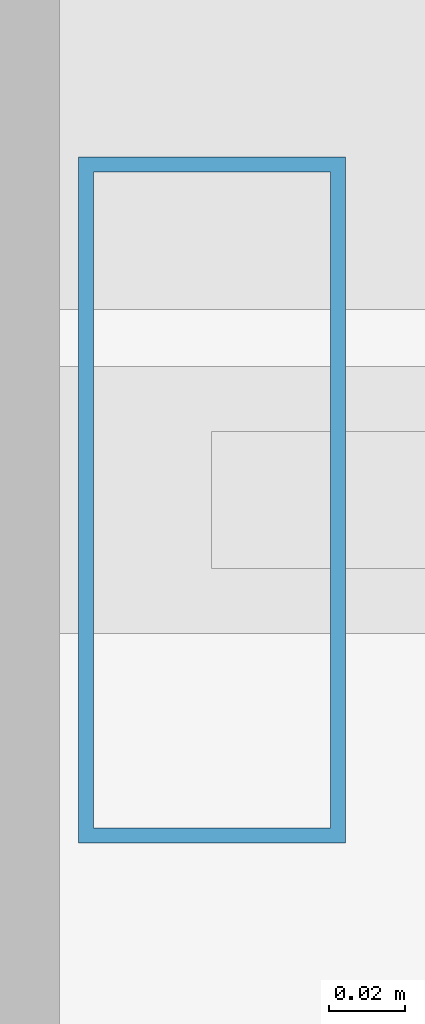
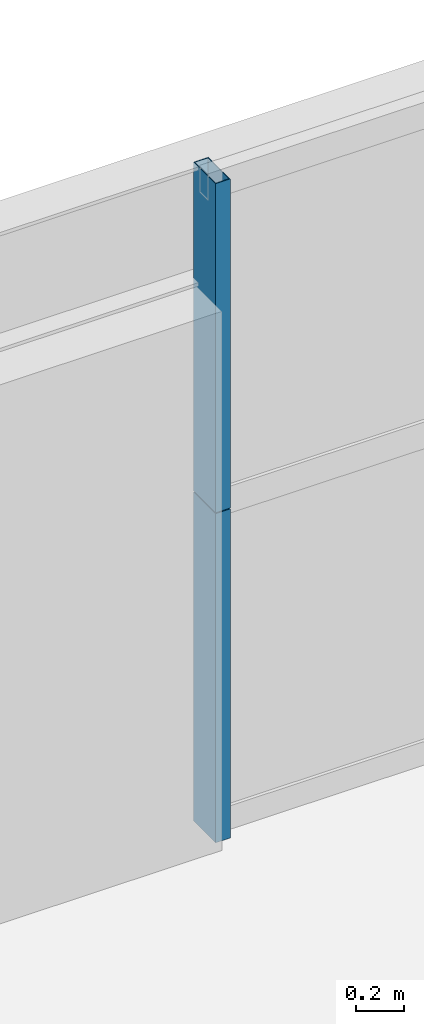
# One storey, part 26 of 43: 2 members, 1 element without a shape of its own.
"""IFC4 building model written with IfcOpenShell, lengths in metres."""

import ifcopenshell
import ifcopenshell.guid

model = None  # the IFC model being written
_history = None  # IfcOwnerHistory: only IFC2X3 demands one
_inside = {}  # id of a spatial element -> (the spatial element, [elements in it])
_under = {}  # id of a project, library or spatial element -> (it, [spatial elements below it])
_declared = {}  # id of a project -> (the project, [libraries it declares])
_typed = {}  # id of a type object -> (the type object, [elements of that type])
_made_of = {}  # id of a material, layer set ... -> (it, [elements and type objects made of it])


def new_model(schema):
    """Start an empty IFC model of exactly this schema.

    Asked for "IFC4X3", IfcOpenShell would pick the latest addendum, in which some entities
    have other attributes; the version numbers below select the first issue.
    IFC2X3 requires an IfcOwnerHistory on every rooted entity: one is made here for all.
    """
    global model, _history
    if schema == "IFC4X3":
        model = ifcopenshell.file(schema_version=(4, 3, 0, 0))
    else:
        model = ifcopenshell.file(schema=schema)
    _inside.clear()
    _under.clear()
    _declared.clear()
    _typed.clear()
    _made_of.clear()
    _history = None
    if model.schema == "IFC2X3":
        org = make("IfcOrganization", Name="unknown")
        user = make(
            "IfcPersonAndOrganization",
            ThePerson=make("IfcPerson", FamilyName="unknown"),
            TheOrganization=org,
        )
        app = make(
            "IfcApplication",
            ApplicationDeveloper=org,
            Version="unknown",
            ApplicationFullName="unknown",
            ApplicationIdentifier="unknown",
        )
        _history = make(
            "IfcOwnerHistory",
            OwningUser=user,
            OwningApplication=app,
            ChangeAction="ADDED",
            CreationDate=0,
        )
    return model


def make(cls, **values):
    """One entity of the class cls with the attributes given. An attribute that is None is left unset."""
    return model.create_entity(
        cls, **{name: value for name, value in values.items() if value is not None}
    )


def rooted(cls, **values):
    """An entity with a GlobalId (a new one), such as an element, a storey or a relation."""
    return make(cls, GlobalId=ifcopenshell.guid.new(), OwnerHistory=_history, **values)


def si_unit(unit_type, name, prefix=None):
    """IfcSIUnit, for example si_unit("LENGTHUNIT", "METRE", prefix="MILLI")."""
    return make("IfcSIUnit", UnitType=unit_type, Prefix=prefix, Name=name)


def assignment(units):
    """IfcUnitAssignment: the units of a project."""
    return None if units is None else make("IfcUnitAssignment", Units=units)


def point(xyz):
    """IfcCartesianPoint."""
    return None if xyz is None else make("IfcCartesianPoint", Coordinates=xyz)


def direction(xyz):
    """IfcDirection."""
    return None if xyz is None else make("IfcDirection", DirectionRatios=xyz)


def frame(location, z_axis=None, x_axis=None):
    """IfcAxis2Placement3D, a coordinate frame: its origin and axes. An axis left out is left unset."""
    return make(
        "IfcAxis2Placement3D",
        Location=point(location),
        Axis=direction(z_axis),
        RefDirection=direction(x_axis),
    )


def frame_2d(location, x_axis=None):
    """IfcAxis2Placement2D, a coordinate frame in the plane: its origin and x axis."""
    return make(
        "IfcAxis2Placement2D", Location=point(location), RefDirection=direction(x_axis)
    )


def origin():
    """The frame at (0, 0, 0) with its axes left unset."""
    return frame((0.0, 0.0, 0.0))


def origin_2d():
    """The frame at (0, 0) in the plane with its x axis left unset."""
    return frame_2d((0.0, 0.0))


def place(relative_to, where):
    """IfcLocalPlacement: puts the frame where relative to a parent placement (None: the world)."""
    return make(
        "IfcLocalPlacement", PlacementRelTo=relative_to, RelativePlacement=where
    )


def context(
    kind, dimensions, precision=None, world=None, true_north=None, identifier=None
):
    """IfcGeometricRepresentationContext, for example the 3D "Model" context."""
    return make(
        "IfcGeometricRepresentationContext",
        ContextIdentifier=identifier,
        ContextType=kind,
        CoordinateSpaceDimension=dimensions,
        Precision=precision,
        WorldCoordinateSystem=world,
        TrueNorth=true_north,
    )


def subcontext(parent, identifier, kind, view, scale=None):
    """IfcGeometricRepresentationSubContext, for example "Body" below "Model"."""
    return make(
        "IfcGeometricRepresentationSubContext",
        ContextIdentifier=identifier,
        ContextType=kind,
        ParentContext=parent,
        TargetScale=scale,
        TargetView=view,
    )


def project(units=None, contexts=None):
    """IfcProject with its units and contexts."""
    return rooted(
        "IfcProject",
        Name="project",
        RepresentationContexts=contexts,
        UnitsInContext=assignment(units),
    )


def spatial(cls, under=None, at=None, **own):
    """A site, building, storey or space (cls), placed at a placement, below another one or the project."""
    s = rooted(cls, ObjectPlacement=at, **own)
    if under is not None:
        _under.setdefault(under.id(), (under, []))[1].append(s)
    return s


def profile(cls, at=None, kind="AREA", **sizes):
    """A parametric profile (cls). Its sizes go by their IFC names, for example OverallWidth=200.0."""
    return make(cls, ProfileType=kind, Position=at, **sizes)


def hollow_rectangle(**sizes):
    """IfcRectangleHollowProfileDef."""
    return profile("IfcRectangleHollowProfileDef", **sizes)


def extrude(swept, where, along, depth):
    """IfcExtrudedAreaSolid: the profile swept, set in the frame where, extruded along a direction by depth."""
    return make(
        "IfcExtrudedAreaSolid",
        SweptArea=swept,
        Position=where,
        ExtrudedDirection=direction(along),
        Depth=depth,
    )


def shape(context_of_items, identifier, shape_type, items):
    """IfcShapeRepresentation: the items that make up one representation, for example the "Body"."""
    return make(
        "IfcShapeRepresentation",
        ContextOfItems=context_of_items,
        RepresentationIdentifier=identifier,
        RepresentationType=shape_type,
        Items=items,
    )


def source(mapping_origin, context_of_items, identifier, shape_type, items):
    """IfcRepresentationMap: a shape defined once, which mapped items show again and again."""
    return make(
        "IfcRepresentationMap",
        MappingOrigin=mapping_origin,
        MappedRepresentation=shape(context_of_items, identifier, shape_type, items),
    )


def transform(
    local_origin,
    x_axis=None,
    y_axis=None,
    z_axis=None,
    scale=None,
    scale2=None,
    scale3=None,
    uniform=True,
):
    """IfcCartesianTransformationOperator3D, or its non-uniform kind. x_axis, y_axis, z_axis: its Axis1, 2, 3."""
    if uniform:
        return make(
            "IfcCartesianTransformationOperator3D",
            Axis1=direction(x_axis),
            Axis2=direction(y_axis),
            LocalOrigin=point(local_origin),
            Scale=scale,
            Axis3=direction(z_axis),
        )
    return make(
        "IfcCartesianTransformationOperator3DnonUniform",
        Axis1=direction(x_axis),
        Axis2=direction(y_axis),
        LocalOrigin=point(local_origin),
        Scale=scale,
        Axis3=direction(z_axis),
        Scale2=scale2,
        Scale3=scale3,
    )


def mapped(mapping_source, mapping_target):
    """IfcMappedItem: shows the shape of a source again, moved by a transform."""
    return make(
        "IfcMappedItem", MappingSource=mapping_source, MappingTarget=mapping_target
    )


def material(Name=None, Category=None):
    """IfcMaterial."""
    return make("IfcMaterial", Name=Name, Category=Category)


def layer(
    of_material, thickness, ventilated=None, Name=None, Category=None, Priority=None
):
    """IfcMaterialLayer: one layer of a wall or slab, of a material (None: an air gap)."""
    return make(
        "IfcMaterialLayer",
        Material=of_material,
        LayerThickness=thickness,
        IsVentilated=ventilated,
        Name=Name,
        Category=Category,
        Priority=Priority,
    )


def layer_set(layers, Name=None):
    """IfcMaterialLayerSet."""
    return make("IfcMaterialLayerSet", MaterialLayers=layers, LayerSetName=Name)


def material_profile(
    of_material, cross_section, Name=None, Category=None, Priority=None
):
    """IfcMaterialProfile: a cross section and its material."""
    return make(
        "IfcMaterialProfile",
        Name=Name,
        Material=of_material,
        Profile=cross_section,
        Priority=Priority,
        Category=Category,
    )


def profile_set(profiles, Name=None, composite=None):
    """IfcMaterialProfileSet."""
    return make(
        "IfcMaterialProfileSet",
        Name=Name,
        MaterialProfiles=profiles,
        CompositeProfile=composite,
    )


def made_of(thing, what):
    """Note that an element or type object is made of a material, layer set ...; save() writes the relation."""
    if what is not None:
        _made_of.setdefault(what.id(), (what, []))[1].append(thing)
    return thing


def type_object(cls, material=None, **own):
    """A type object (cls), such as IfcWallType, which elements share."""
    return made_of(rooted(cls, **own), material)


def element(
    cls,
    number,
    at=None,
    inside=None,
    cuts=None,
    type_object=None,
    material=None,
    context=None,
    identifier="Body",
    shape_type=None,
    held_by="IfcProductDefinitionShape",
    body=None,
    shapes=None,
    **own,
):
    """One element of the class cls, such as IfcWall. Its Tag is "e" and its number.

    at: its placement. inside: the storey or other place that contains it. cuts: it is an
    opening in that element (IfcRelVoidsElement). A single representation is given by context,
    identifier, shape_type and body (its items); several are given by shapes. held_by: the class
    of the entity that holds the representations. save() writes the other relations.
    """
    e = rooted(cls, Tag="e%d" % number, ObjectPlacement=at, **own)
    if body is not None:
        shapes = [shape(context, identifier, shape_type, body)]
    if shapes is not None:
        e.Representation = make(held_by, Representations=shapes)
    if inside is not None:
        _inside.setdefault(inside.id(), (inside, []))[1].append(e)
    if cuts is not None:
        rooted(
            "IfcRelVoidsElement", RelatingBuildingElement=cuts, RelatedOpeningElement=e
        )
    if type_object is not None:
        _typed.setdefault(type_object.id(), (type_object, []))[1].append(e)
    return made_of(e, material)


def aggregate(whole, parts):
    """IfcRelAggregates: a whole, such as a stair, and the parts it consists of."""
    return rooted("IfcRelAggregates", RelatingObject=whole, RelatedObjects=parts)


def save(model, path):
    """Write the relations noted so far, then the file.

    IfcRelAggregates (storeys below a building ...), IfcRelContainedInSpatialStructure (elements
    in a storey), IfcRelDefinesByType, IfcRelAssociatesMaterial and IfcRelDeclares: one each for
    every whole, place, type object, material and project.
    """
    for whole, parts in _under.values():
        aggregate(whole, parts)
    for where, things in _inside.values():
        rooted(
            "IfcRelContainedInSpatialStructure",
            RelatedElements=things,
            RelatingStructure=where,
        )
    for kind, things in _typed.values():
        rooted("IfcRelDefinesByType", RelatedObjects=things, RelatingType=kind)
    for what, things in _made_of.values():
        rooted("IfcRelAssociatesMaterial", RelatedObjects=things, RelatingMaterial=what)
    for by, libraries in _declared.values():
        rooted("IfcRelDeclares", RelatingContext=by, RelatedDefinitions=libraries)
    model.write(path)


model = new_model("IFC4")

# Units and contexts
model_context = context("Model", 3, precision=1e-05, world=origin(), true_north=direction((0.0, 1.0)))
body_context = subcontext(model_context, "Body", "Model", "MODEL_VIEW")
ifc_project = project(units=[si_unit("LENGTHUNIT", "METRE"), si_unit("AREAUNIT", "SQUARE_METRE"), si_unit("VOLUMEUNIT", "CUBIC_METRE"), si_unit("PLANEANGLEUNIT", "RADIAN"), si_unit("MASSUNIT", "GRAM", prefix="KILO"), si_unit("THERMODYNAMICTEMPERATUREUNIT", "KELVIN"), si_unit("POWERUNIT", "WATT")], contexts=[model_context])

# Site, building, storey
site_placement = place(None, origin())
site = spatial("IfcSite", under=ifc_project, at=site_placement, CompositionType="ELEMENT")
building_placement = place(site_placement, origin())
building = spatial("IfcBuilding", under=site, at=building_placement, Name="Yuzanri Waterfront Tower", CompositionType="ELEMENT")
storey_placement = place(building_placement, frame((0.0, 0.0, 37.800048828125)))
storey = spatial("IfcBuildingStorey", under=building, at=storey_placement, Name="L09", CompositionType="ELEMENT", Elevation=37.800048828125)

# Curtain wall, members
ifc_material_1 = material(Name="Anodized Architectural Bronze", Category="metal")
ifc_layer = layer(ifc_material_1, 0.159912109375)
ifc_layer_set = layer_set([ifc_layer], Name="Anodized Architectural Bronze")
curtain_wall_type = type_object("IfcCurtainWallType", Name="Anodized Bronze Hotel Lower-Tier Recessed Unitized Curtain Wall 8100", PredefinedType="NOTDEFINED", material=ifc_layer_set)
curtain_wall_placement = place(storey_placement, origin())
curtain_wall = element("IfcCurtainWall", 1, at=curtain_wall_placement, inside=storey, type_object=curtain_wall_type, Name="L09 Curtain Wall CW-L09-NL", PredefinedType="NOTDEFINED")
ifc_material_2 = material(Name="Anodized Architectural Bronze", Category="metal")
ifc_material_profile = material_profile(ifc_material_2, hollow_rectangle(XDim=0.070068359375, YDim=0.179931640625, WallThickness=0.00390625, at=origin_2d()), Name="CWM 70x180")
ifc_profile_set = profile_set([ifc_material_profile], Name="Anodized Architectural Bronze")
member_type = type_object("IfcMemberType", Name="Anodized Bronze Standard Curtain-Wall Mullion 70x180", PredefinedType="MULLION", material=ifc_profile_set)
shared_shape_1 = source(origin(), body_context, "Body", "SweptSolid", [
    extrude(hollow_rectangle(XDim=0.070068359375, YDim=0.179931640625, WallThickness=0.00390625, at=origin_2d()), origin(), (0.0, 0.0, 1.0), 1.657958984375),
])
member_1_placement = place(storey_placement, frame((19.2900390625, 50.75, 0.0), z_axis=(0.0, 0.0, 1.0), x_axis=(1.0, 0.0, 0.0)))
member_1 = element("IfcMember", 2, at=member_1_placement, type_object=member_type, Name="CW-L09-NL Lower Mullion 00", PredefinedType="MULLION", context=body_context, shape_type="MappedRepresentation", body=[
    mapped(shared_shape_1, transform((0.0, 0.0, 0.0), scale=1.0)),
])
shared_shape_2 = source(origin(), body_context, "Body", "SweptSolid", [
    extrude(hollow_rectangle(XDim=0.070068359375, YDim=0.179931640625, WallThickness=0.00390625, at=origin_2d()), origin(), (0.0, 0.0, 1.0), 1.658203125),
])
member_2_placement = place(storey_placement, frame((19.2900390625, 50.75, 1.661865234375), z_axis=(0.0, 0.0, 1.0), x_axis=(1.0, 0.0, 0.0)))
member_2 = element("IfcMember", 3, at=member_2_placement, type_object=member_type, Name="CW-L09-NL Upper Mullion 00", PredefinedType="MULLION", context=body_context, shape_type="MappedRepresentation", body=[
    mapped(shared_shape_2, transform((0.0, 0.0, 0.0), scale=1.0)),
])
aggregate(curtain_wall, [member_1, member_2])

save(model, "model.ifc")
